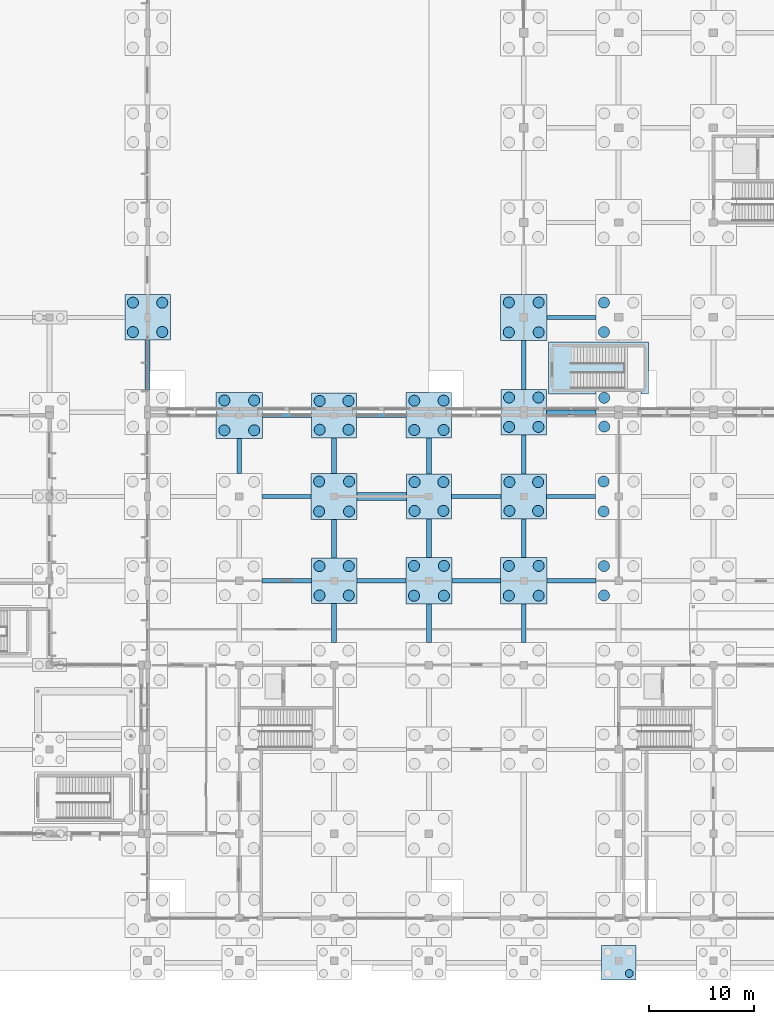
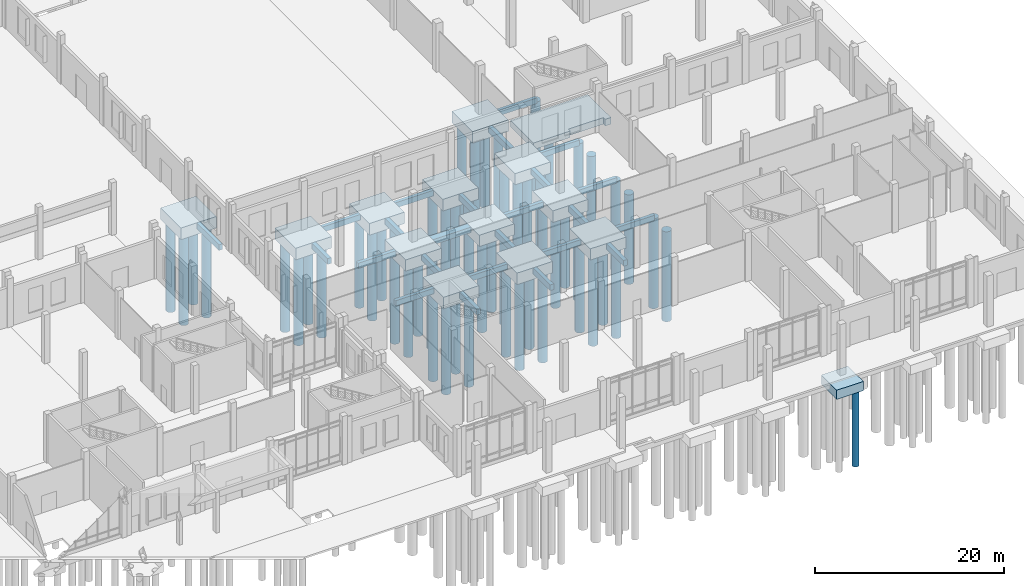
# One storey, part 15 of 99: 57 piles, 38 footings.
"""IFC4 building model written with IfcOpenShell, lengths in metres."""

import ifcopenshell
import ifcopenshell.guid

model = None  # the IFC model being written
_history = None  # IfcOwnerHistory: only IFC2X3 demands one
_inside = {}  # id of a spatial element -> (the spatial element, [elements in it])
_under = {}  # id of a project, library or spatial element -> (it, [spatial elements below it])
_declared = {}  # id of a project -> (the project, [libraries it declares])
_typed = {}  # id of a type object -> (the type object, [elements of that type])
_made_of = {}  # id of a material, layer set ... -> (it, [elements and type objects made of it])


def new_model(schema):
    """Start an empty IFC model of exactly this schema.

    Asked for "IFC4X3", IfcOpenShell would pick the latest addendum, in which some entities
    have other attributes; the version numbers below select the first issue.
    IFC2X3 requires an IfcOwnerHistory on every rooted entity: one is made here for all.
    """
    global model, _history
    if schema == "IFC4X3":
        model = ifcopenshell.file(schema_version=(4, 3, 0, 0))
    else:
        model = ifcopenshell.file(schema=schema)
    _inside.clear()
    _under.clear()
    _declared.clear()
    _typed.clear()
    _made_of.clear()
    _history = None
    if model.schema == "IFC2X3":
        org = make("IfcOrganization", Name="unknown")
        user = make(
            "IfcPersonAndOrganization",
            ThePerson=make("IfcPerson", FamilyName="unknown"),
            TheOrganization=org,
        )
        app = make(
            "IfcApplication",
            ApplicationDeveloper=org,
            Version="unknown",
            ApplicationFullName="unknown",
            ApplicationIdentifier="unknown",
        )
        _history = make(
            "IfcOwnerHistory",
            OwningUser=user,
            OwningApplication=app,
            ChangeAction="ADDED",
            CreationDate=0,
        )
    return model


def make(cls, **values):
    """One entity of the class cls with the attributes given. An attribute that is None is left unset."""
    return model.create_entity(
        cls, **{name: value for name, value in values.items() if value is not None}
    )


def rooted(cls, **values):
    """An entity with a GlobalId (a new one), such as an element, a storey or a relation."""
    return make(cls, GlobalId=ifcopenshell.guid.new(), OwnerHistory=_history, **values)


def si_unit(unit_type, name, prefix=None):
    """IfcSIUnit, for example si_unit("LENGTHUNIT", "METRE", prefix="MILLI")."""
    return make("IfcSIUnit", UnitType=unit_type, Prefix=prefix, Name=name)


def assignment(units):
    """IfcUnitAssignment: the units of a project."""
    return None if units is None else make("IfcUnitAssignment", Units=units)


def point(xyz):
    """IfcCartesianPoint."""
    return None if xyz is None else make("IfcCartesianPoint", Coordinates=xyz)


def direction(xyz):
    """IfcDirection."""
    return None if xyz is None else make("IfcDirection", DirectionRatios=xyz)


def frame(location, z_axis=None, x_axis=None):
    """IfcAxis2Placement3D, a coordinate frame: its origin and axes. An axis left out is left unset."""
    return make(
        "IfcAxis2Placement3D",
        Location=point(location),
        Axis=direction(z_axis),
        RefDirection=direction(x_axis),
    )


def frame_2d(location, x_axis=None):
    """IfcAxis2Placement2D, a coordinate frame in the plane: its origin and x axis."""
    return make(
        "IfcAxis2Placement2D", Location=point(location), RefDirection=direction(x_axis)
    )


def origin():
    """The frame at (0, 0, 0) with its axes left unset."""
    return frame((0.0, 0.0, 0.0))


def origin_2d():
    """The frame at (0, 0) in the plane with its x axis left unset."""
    return frame_2d((0.0, 0.0))


def place(relative_to, where):
    """IfcLocalPlacement: puts the frame where relative to a parent placement (None: the world)."""
    return make(
        "IfcLocalPlacement", PlacementRelTo=relative_to, RelativePlacement=where
    )


def context(
    kind, dimensions, precision=None, world=None, true_north=None, identifier=None
):
    """IfcGeometricRepresentationContext, for example the 3D "Model" context."""
    return make(
        "IfcGeometricRepresentationContext",
        ContextIdentifier=identifier,
        ContextType=kind,
        CoordinateSpaceDimension=dimensions,
        Precision=precision,
        WorldCoordinateSystem=world,
        TrueNorth=true_north,
    )


def subcontext(parent, identifier, kind, view, scale=None):
    """IfcGeometricRepresentationSubContext, for example "Body" below "Model"."""
    return make(
        "IfcGeometricRepresentationSubContext",
        ContextIdentifier=identifier,
        ContextType=kind,
        ParentContext=parent,
        TargetScale=scale,
        TargetView=view,
    )


def project(units=None, contexts=None):
    """IfcProject with its units and contexts."""
    return rooted(
        "IfcProject",
        Name="project",
        RepresentationContexts=contexts,
        UnitsInContext=assignment(units),
    )


def spatial(cls, under=None, at=None, **own):
    """A site, building, storey or space (cls), placed at a placement, below another one or the project."""
    s = rooted(cls, ObjectPlacement=at, **own)
    if under is not None:
        _under.setdefault(under.id(), (under, []))[1].append(s)
    return s


def polyline(points):
    """IfcPolyline through the points."""
    return make("IfcPolyline", Points=[point(p) for p in points])


def profile(cls, at=None, kind="AREA", **sizes):
    """A parametric profile (cls). Its sizes go by their IFC names, for example OverallWidth=200.0."""
    return make(cls, ProfileType=kind, Position=at, **sizes)


def rectangle(**sizes):
    """IfcRectangleProfileDef."""
    return profile("IfcRectangleProfileDef", **sizes)


def circle(**sizes):
    """IfcCircleProfileDef."""
    return profile("IfcCircleProfileDef", **sizes)


def outline(outer, holes=None, kind="AREA"):
    """IfcArbitraryClosedProfileDef: a profile drawn as a closed curve; with holes, ...WithVoids."""
    if holes is None:
        return make("IfcArbitraryClosedProfileDef", ProfileType=kind, OuterCurve=outer)
    return make(
        "IfcArbitraryProfileDefWithVoids",
        ProfileType=kind,
        OuterCurve=outer,
        InnerCurves=holes,
    )


def extrude(swept, where, along, depth):
    """IfcExtrudedAreaSolid: the profile swept, set in the frame where, extruded along a direction by depth."""
    return make(
        "IfcExtrudedAreaSolid",
        SweptArea=swept,
        Position=where,
        ExtrudedDirection=direction(along),
        Depth=depth,
    )


def shape(context_of_items, identifier, shape_type, items):
    """IfcShapeRepresentation: the items that make up one representation, for example the "Body"."""
    return make(
        "IfcShapeRepresentation",
        ContextOfItems=context_of_items,
        RepresentationIdentifier=identifier,
        RepresentationType=shape_type,
        Items=items,
    )


def material(Name=None, Category=None):
    """IfcMaterial."""
    return make("IfcMaterial", Name=Name, Category=Category)


def layer(
    of_material, thickness, ventilated=None, Name=None, Category=None, Priority=None
):
    """IfcMaterialLayer: one layer of a wall or slab, of a material (None: an air gap)."""
    return make(
        "IfcMaterialLayer",
        Material=of_material,
        LayerThickness=thickness,
        IsVentilated=ventilated,
        Name=Name,
        Category=Category,
        Priority=Priority,
    )


def layer_set(layers, Name=None):
    """IfcMaterialLayerSet."""
    return make("IfcMaterialLayerSet", MaterialLayers=layers, LayerSetName=Name)


def material_profile(
    of_material, cross_section, Name=None, Category=None, Priority=None
):
    """IfcMaterialProfile: a cross section and its material."""
    return make(
        "IfcMaterialProfile",
        Name=Name,
        Material=of_material,
        Profile=cross_section,
        Priority=Priority,
        Category=Category,
    )


def profile_set(profiles, Name=None, composite=None):
    """IfcMaterialProfileSet."""
    return make(
        "IfcMaterialProfileSet",
        Name=Name,
        MaterialProfiles=profiles,
        CompositeProfile=composite,
    )


def made_of(thing, what):
    """Note that an element or type object is made of a material, layer set ...; save() writes the relation."""
    if what is not None:
        _made_of.setdefault(what.id(), (what, []))[1].append(thing)
    return thing


def type_object(cls, material=None, **own):
    """A type object (cls), such as IfcWallType, which elements share."""
    return made_of(rooted(cls, **own), material)


def element(
    cls,
    number,
    at=None,
    inside=None,
    cuts=None,
    type_object=None,
    material=None,
    context=None,
    identifier="Body",
    shape_type=None,
    held_by="IfcProductDefinitionShape",
    body=None,
    shapes=None,
    **own,
):
    """One element of the class cls, such as IfcWall. Its Tag is "e" and its number.

    at: its placement. inside: the storey or other place that contains it. cuts: it is an
    opening in that element (IfcRelVoidsElement). A single representation is given by context,
    identifier, shape_type and body (its items); several are given by shapes. held_by: the class
    of the entity that holds the representations. save() writes the other relations.
    """
    e = rooted(cls, Tag="e%d" % number, ObjectPlacement=at, **own)
    if body is not None:
        shapes = [shape(context, identifier, shape_type, body)]
    if shapes is not None:
        e.Representation = make(held_by, Representations=shapes)
    if inside is not None:
        _inside.setdefault(inside.id(), (inside, []))[1].append(e)
    if cuts is not None:
        rooted(
            "IfcRelVoidsElement", RelatingBuildingElement=cuts, RelatedOpeningElement=e
        )
    if type_object is not None:
        _typed.setdefault(type_object.id(), (type_object, []))[1].append(e)
    return made_of(e, material)


def aggregate(whole, parts):
    """IfcRelAggregates: a whole, such as a stair, and the parts it consists of."""
    return rooted("IfcRelAggregates", RelatingObject=whole, RelatedObjects=parts)


def save(model, path):
    """Write the relations noted so far, then the file.

    IfcRelAggregates (storeys below a building ...), IfcRelContainedInSpatialStructure (elements
    in a storey), IfcRelDefinesByType, IfcRelAssociatesMaterial and IfcRelDeclares: one each for
    every whole, place, type object, material and project.
    """
    for whole, parts in _under.values():
        aggregate(whole, parts)
    for where, things in _inside.values():
        rooted(
            "IfcRelContainedInSpatialStructure",
            RelatedElements=things,
            RelatingStructure=where,
        )
    for kind, things in _typed.values():
        rooted("IfcRelDefinesByType", RelatedObjects=things, RelatingType=kind)
    for what, things in _made_of.values():
        rooted("IfcRelAssociatesMaterial", RelatedObjects=things, RelatingMaterial=what)
    for by, libraries in _declared.values():
        rooted("IfcRelDeclares", RelatingContext=by, RelatedDefinitions=libraries)
    model.write(path)


model = new_model("IFC4")

# Units and contexts
model_context = context("Model", 3, precision=1e-05, world=origin(), true_north=direction((0.0, 1.0)))
body_context = subcontext(model_context, "Body", "Model", "MODEL_VIEW")
ifc_project = project(units=[si_unit("LENGTHUNIT", "METRE"), si_unit("AREAUNIT", "SQUARE_METRE"), si_unit("VOLUMEUNIT", "CUBIC_METRE"), si_unit("PLANEANGLEUNIT", "RADIAN"), si_unit("MASSUNIT", "GRAM", prefix="KILO")], contexts=[model_context])

# Site, building, storey
site_placement = place(None, origin())
site = spatial("IfcSite", under=ifc_project, at=site_placement, CompositionType="ELEMENT")
building_placement = place(site_placement, origin())
building = spatial("IfcBuilding", under=site, at=building_placement, Name="Zacnel Wholesale Market", CompositionType="ELEMENT")
storey_placement = place(building_placement, origin())
storey = spatial("IfcBuildingStorey", under=building, at=storey_placement, Name="L01", CompositionType="ELEMENT", Elevation=0.0)

# Footings
ifc_material_1 = material(Name="Concrete C35/45", Category="concrete")
ifc_material_profile_1 = material_profile(ifc_material_1, rectangle(XDim=0.39990234375, YDim=0.699951171875, at=origin_2d()), Name="CT 400x700")
ifc_profile_set_1 = profile_set([ifc_material_profile_1], Name="Concrete C35/45")
footing_type_1 = type_object("IfcFootingType", Name="FTG-CT400X700", PredefinedType="FOOTING_BEAM", material=ifc_profile_set_1)
footing_1_placement = place(storey_placement, frame((155.139892578125, 32.0, -0.85009765625), z_axis=(1.0, 0.0, 0.0), x_axis=(0.0, 1.0, 0.0)))
element("IfcFooting", 1, at=footing_1_placement, inside=storey, type_object=footing_type_1, Name="Ground tie beam CT-X-0332", PredefinedType="FOOTING_BEAM", context=body_context, shape_type="SweptSolid", body=[
    extrude(rectangle(XDim=0.39990234375, YDim=0.699951171875, at=origin_2d()), origin(), (0.0, 0.0, 1.0), 4.695068359375),
])
footing_2_placement = place(storey_placement, frame((164.1650390625, 32.0, -0.85009765625), z_axis=(1.0, 0.0, 0.0), x_axis=(0.0, 1.0, 0.0)))
element("IfcFooting", 2, at=footing_2_placement, inside=storey, type_object=footing_type_1, Name="Ground tie beam CT-X-0333", PredefinedType="FOOTING_BEAM", context=body_context, shape_type="SweptSolid", body=[
    extrude(rectangle(XDim=0.39990234375, YDim=0.699951171875, at=origin_2d()), origin(), (0.0, 0.0, 1.0), 4.64501953125),
])
footing_3_placement = place(storey_placement, frame((173.18994140625, 32.0, -0.85009765625), z_axis=(1.0, 0.0, 0.0), x_axis=(0.0, 1.0, 0.0)))
element("IfcFooting", 3, at=footing_3_placement, inside=storey, type_object=footing_type_1, Name="Ground tie beam CT-X-0334", PredefinedType="FOOTING_BEAM", context=body_context, shape_type="SweptSolid", body=[
    extrude(rectangle(XDim=0.39990234375, YDim=0.699951171875, at=origin_2d()), origin(), (0.0, 0.0, 1.0), 4.6201171875),
])
for number, where, z_axis, x_axis, name in (
    (4, (182.18994140625, 32.0, -0.85009765625), (1.0, 0.0, 0.0), (0.0, 1.0, 0.0), "Ground tie beam CT-X-0335"),
    (5, (155.1650390625, 40.0, -0.85009765625), (1.0, 0.0, 0.0), (0.0, 1.0, 0.0), "Ground tie beam CT-X-0353"),
):
    element("IfcFooting", number, at=place(storey_placement, frame(where, z_axis=z_axis, x_axis=x_axis)), inside=storey, type_object=footing_type_1, Name=name, PredefinedType="FOOTING_BEAM", context=body_context, shape_type="SweptSolid", body=[
        extrude(rectangle(XDim=0.39990234375, YDim=0.699951171875, at=origin_2d()), origin(), (0.0, 0.0, 1.0), 4.64501953125),
    ])
footing_4_placement = place(storey_placement, frame((173.139892578125, 40.0, -0.85009765625), z_axis=(1.0, 0.0, 0.0), x_axis=(0.0, 1.0, 0.0)))
element("IfcFooting", 6, at=footing_4_placement, inside=storey, type_object=footing_type_1, Name="Ground tie beam CT-X-0354", PredefinedType="FOOTING_BEAM", context=body_context, shape_type="SweptSolid", body=[
    extrude(rectangle(XDim=0.39990234375, YDim=0.699951171875, at=origin_2d()), origin(), (0.0, 0.0, 1.0), 4.72021484375),
])
for number, where, z_axis, x_axis, name in (
    (7, (182.139892578125, 40.0, -0.85009765625), (1.0, 0.0, 0.0), (0.0, 1.0, 0.0), "Ground tie beam CT-X-0355"),
    (8, (155.18994140625, 47.699951171875, -0.85009765625), (1.0, 0.0, 0.0), (0.0, 1.0, 0.0), "Ground tie beam CT-X-0359"),
):
    element("IfcFooting", number, at=place(storey_placement, frame(where, z_axis=z_axis, x_axis=x_axis)), inside=storey, type_object=footing_type_1, Name=name, PredefinedType="FOOTING_BEAM", context=body_context, shape_type="SweptSolid", body=[
        extrude(rectangle(XDim=0.39990234375, YDim=0.699951171875, at=origin_2d()), origin(), (0.0, 0.0, 1.0), 4.670166015625),
    ])
for number, where, z_axis, x_axis, name in (
    (9, (164.139892578125, 47.699951171875, -0.85009765625), (1.0, 0.0, 0.0), (0.0, 1.0, 0.0), "Ground tie beam CT-X-0360"),
    (10, (182.1650390625, 48.0, -0.85009765625), (1.0, 0.0, 0.0), (0.0, 1.0, 0.0), "Ground tie beam CT-X-0377"),
):
    element("IfcFooting", number, at=place(storey_placement, frame(where, z_axis=z_axis, x_axis=x_axis)), inside=storey, type_object=footing_type_1, Name=name, PredefinedType="FOOTING_BEAM", context=body_context, shape_type="SweptSolid", body=[
        extrude(rectangle(XDim=0.39990234375, YDim=0.699951171875, at=origin_2d()), origin(), (0.0, 0.0, 1.0), 4.695068359375),
    ])
footing_5_placement = place(storey_placement, frame((182.18994140625, 57.0, -0.85009765625), z_axis=(1.0, 0.0, 0.0), x_axis=(0.0, 1.0, 0.0)))
element("IfcFooting", 11, at=footing_5_placement, inside=storey, type_object=footing_type_1, Name="Ground tie beam CT-X-0397", PredefinedType="FOOTING_BEAM", context=body_context, shape_type="SweptSolid", body=[
    extrude(rectangle(XDim=0.39990234375, YDim=0.699951171875, at=origin_2d()), origin(), (0.0, 0.0, 1.0), 4.64501953125),
])
ifc_material_2 = material(Name="Concrete C35/45", Category="concrete")
ifc_material_profile_2 = material_profile(ifc_material_2, rectangle(XDim=0.449951171875, YDim=0.75, at=origin_2d()), Name="CT 450x750")
ifc_profile_set_2 = profile_set([ifc_material_profile_2], Name="Concrete C35/45")
footing_type_2 = type_object("IfcFootingType", Name="FTG-CT450X750", PredefinedType="FOOTING_BEAM", material=ifc_profile_set_2)
footing_6_placement = place(storey_placement, frame((144.300048828125, 50.139892578125, -0.875), z_axis=(0.0, 1.0, 0.0), x_axis=(-1.0, 0.0, 0.0)))
element("IfcFooting", 12, at=footing_6_placement, inside=storey, type_object=footing_type_2, Name="Ground tie beam CT-Y-0149", PredefinedType="FOOTING_BEAM", context=body_context, shape_type="SweptSolid", body=[
    extrude(rectangle(XDim=0.449951171875, YDim=0.75, at=origin_2d()), origin(), (0.0, 0.0, 1.0), 4.695068359375),
])
footing_7_placement = place(storey_placement, frame((153.0, 42.1650390625, -0.875), z_axis=(0.0, 1.0, 0.0), x_axis=(-1.0, 0.0, 0.0)))
element("IfcFooting", 13, at=footing_7_placement, inside=storey, type_object=footing_type_2, Name="Ground tie beam CT-Y-0159", PredefinedType="FOOTING_BEAM", context=body_context, shape_type="SweptSolid", body=[
    extrude(rectangle(XDim=0.449951171875, YDim=0.75, at=origin_2d()), origin(), (0.0, 0.0, 1.0), 3.344970703125),
])
footing_8_placement = place(storey_placement, frame((162.0, 26.139892578125, -0.875), z_axis=(0.0, 1.0, 0.0), x_axis=(-1.0, 0.0, 0.0)))
element("IfcFooting", 14, at=footing_8_placement, inside=storey, type_object=footing_type_2, Name="Ground tie beam CT-Y-0167", PredefinedType="FOOTING_BEAM", context=body_context, shape_type="SweptSolid", body=[
    extrude(rectangle(XDim=0.449951171875, YDim=0.75, at=origin_2d()), origin(), (0.0, 0.0, 1.0), 3.695068359375),
])
footing_9_placement = place(storey_placement, frame((162.0, 34.1650390625, -0.875), z_axis=(0.0, 1.0, 0.0), x_axis=(-1.0, 0.0, 0.0)))
element("IfcFooting", 15, at=footing_9_placement, inside=storey, type_object=footing_type_2, Name="Ground tie beam CT-Y-0168", PredefinedType="FOOTING_BEAM", context=body_context, shape_type="SweptSolid", body=[
    extrude(rectangle(XDim=0.449951171875, YDim=0.75, at=origin_2d()), origin(), (0.0, 0.0, 1.0), 3.64501953125),
])
footing_10_placement = place(storey_placement, frame((162.0, 42.18994140625, -0.875), z_axis=(0.0, 1.0, 0.0), x_axis=(-1.0, 0.0, 0.0)))
element("IfcFooting", 16, at=footing_10_placement, inside=storey, type_object=footing_type_2, Name="Ground tie beam CT-Y-0169", PredefinedType="FOOTING_BEAM", context=body_context, shape_type="SweptSolid", body=[
    extrude(rectangle(XDim=0.449951171875, YDim=0.75, at=origin_2d()), origin(), (0.0, 0.0, 1.0), 3.3701171875),
])
footing_11_placement = place(storey_placement, frame((171.0, 26.1650390625, -0.875), z_axis=(0.0, 1.0, 0.0), x_axis=(-1.0, 0.0, 0.0)))
element("IfcFooting", 17, at=footing_11_placement, inside=storey, type_object=footing_type_2, Name="Ground tie beam CT-Y-0174", PredefinedType="FOOTING_BEAM", context=body_context, shape_type="SweptSolid", body=[
    extrude(rectangle(XDim=0.449951171875, YDim=0.75, at=origin_2d()), origin(), (0.0, 0.0, 1.0), 3.64501953125),
])
footing_12_placement = place(storey_placement, frame((171.0, 34.18994140625, -0.875), z_axis=(0.0, 1.0, 0.0), x_axis=(-1.0, 0.0, 0.0)))
element("IfcFooting", 18, at=footing_12_placement, inside=storey, type_object=footing_type_2, Name="Ground tie beam CT-Y-0175", PredefinedType="FOOTING_BEAM", context=body_context, shape_type="SweptSolid", body=[
    extrude(rectangle(XDim=0.449951171875, YDim=0.75, at=origin_2d()), origin(), (0.0, 0.0, 1.0), 3.670166015625),
])
footing_13_placement = place(storey_placement, frame((171.0, 42.139892578125, -0.875), z_axis=(0.0, 1.0, 0.0), x_axis=(-1.0, 0.0, 0.0)))
element("IfcFooting", 19, at=footing_13_placement, inside=storey, type_object=footing_type_2, Name="Ground tie beam CT-Y-0176", PredefinedType="FOOTING_BEAM", context=body_context, shape_type="SweptSolid", body=[
    extrude(rectangle(XDim=0.449951171875, YDim=0.75, at=origin_2d()), origin(), (0.0, 0.0, 1.0), 3.39501953125),
])
footing_14_placement = place(storey_placement, frame((180.0, 26.1650390625, -0.875), z_axis=(0.0, 1.0, 0.0), x_axis=(-1.0, 0.0, 0.0)))
element("IfcFooting", 20, at=footing_14_placement, inside=storey, type_object=footing_type_2, Name="Ground tie beam CT-Y-0183", PredefinedType="FOOTING_BEAM", context=body_context, shape_type="SweptSolid", body=[
    extrude(rectangle(XDim=0.449951171875, YDim=0.75, at=origin_2d()), origin(), (0.0, 0.0, 1.0), 3.64501953125),
])
footing_15_placement = place(storey_placement, frame((180.0, 34.18994140625, -0.875), z_axis=(0.0, 1.0, 0.0), x_axis=(-1.0, 0.0, 0.0)))
element("IfcFooting", 21, at=footing_15_placement, inside=storey, type_object=footing_type_2, Name="Ground tie beam CT-Y-0184", PredefinedType="FOOTING_BEAM", context=body_context, shape_type="SweptSolid", body=[
    extrude(rectangle(XDim=0.449951171875, YDim=0.75, at=origin_2d()), origin(), (0.0, 0.0, 1.0), 3.670166015625),
])
footing_16_placement = place(storey_placement, frame((180.0, 42.139892578125, -0.875), z_axis=(0.0, 1.0, 0.0), x_axis=(-1.0, 0.0, 0.0)))
element("IfcFooting", 22, at=footing_16_placement, inside=storey, type_object=footing_type_2, Name="Ground tie beam CT-Y-0185", PredefinedType="FOOTING_BEAM", context=body_context, shape_type="SweptSolid", body=[
    extrude(rectangle(XDim=0.449951171875, YDim=0.75, at=origin_2d()), origin(), (0.0, 0.0, 1.0), 3.695068359375),
])
footing_17_placement = place(storey_placement, frame((180.0, 50.1650390625, -0.875), z_axis=(0.0, 1.0, 0.0), x_axis=(-1.0, 0.0, 0.0)))
element("IfcFooting", 23, at=footing_17_placement, inside=storey, type_object=footing_type_2, Name="Ground tie beam CT-Y-0186", PredefinedType="FOOTING_BEAM", context=body_context, shape_type="SweptSolid", body=[
    extrude(rectangle(XDim=0.449951171875, YDim=0.75, at=origin_2d()), origin(), (0.0, 0.0, 1.0), 4.64501953125),
])
ifc_material_3 = material(Name="Concrete C35/45", Category="concrete")
ifc_layer_1 = layer(ifc_material_3, 1.0)
ifc_layer_set_1 = layer_set([ifc_layer_1], Name="Concrete C35/45")
footing_type_3 = type_object("IfcFootingType", Name="FTG-PAD-2400X1800", PredefinedType="PAD_FOOTING", material=ifc_layer_set_1)
footing_18_placement = place(storey_placement, frame((0.0, 0.0, -1.199951171875)))
element("IfcFooting", 24, at=footing_18_placement, inside=storey, type_object=footing_type_3, Name="Shear wall strip footing 07", PredefinedType="PAD_FOOTING", context=body_context, shape_type="SweptSolid", body=[
    extrude(outline(polyline([(164.19189453125, 39.625), (164.19189453125, 40.375), (168.85791015625, 40.375), (168.85791015625, 39.625), (164.19189453125, 39.625)])), origin(), (0.0, 0.0, 1.0), 0.699951171875),
])
ifc_material_4 = material(Name="Concrete C35/45", Category="concrete")
ifc_layer_2 = layer(ifc_material_4, 1.199951171875)
ifc_layer_set_2 = layer_set([ifc_layer_2], Name="Concrete C35/45")
footing_type_4 = type_object("IfcFootingType", Name="FTG-PC-3270X3270X1200", PredefinedType="PILE_CAP", material=ifc_layer_set_2)
footing_19_placement = place(storey_placement, frame((189.0, -4.25, -1.7001953125), z_axis=(0.0, 0.0, 1.0), x_axis=(1.0, 0.0, 0.0)))
element("IfcFooting", 25, at=footing_19_placement, inside=storey, type_object=footing_type_4, Name="Pile cap PC-23 (STR-PC-R2-BV5-06)", PredefinedType="PILE_CAP", context=body_context, shape_type="SweptSolid", body=[
    extrude(rectangle(XDim=3.27001953125, YDim=3.27001953125, at=origin_2d()), origin(), (0.0, 0.0, 1.0), 1.199951171875),
])
ifc_material_5 = material(Name="Concrete C35/45", Category="concrete")
ifc_layer_3 = layer(ifc_material_5, 1.449951171875)
ifc_layer_set_3 = layer_set([ifc_layer_3], Name="Concrete C35/45")
footing_type_5 = type_object("IfcFootingType", Name="FTG-PC-4280X4280X1450", PredefinedType="PILE_CAP", material=ifc_layer_set_3)
footing_20_placement = place(storey_placement, frame((171.0, 40.0, -1.9501953125), z_axis=(0.0, 0.0, 1.0), x_axis=(1.0, 0.0, 0.0)))
element("IfcFooting", 26, at=footing_20_placement, inside=storey, type_object=footing_type_5, Name="Pile cap PC-16 (STR-PC-237)", PredefinedType="PILE_CAP", context=body_context, shape_type="SweptSolid", body=[
    extrude(rectangle(XDim=4.280029296875, YDim=4.280029296875, at=origin_2d()), origin(), (0.0, 0.0, 1.0), 1.449951171875),
])
ifc_material_6 = material(Name="Concrete C35/45", Category="concrete")
ifc_layer_4 = layer(ifc_material_6, 1.5)
ifc_layer_set_4 = layer_set([ifc_layer_4], Name="Concrete C35/45")
footing_type_6 = type_object("IfcFootingType", Name="FTG-PC-4280X4280X1500", PredefinedType="PILE_CAP", material=ifc_layer_set_4)
for number, where, z_axis, x_axis, name in (
    (27, (162.0, 47.699951171875, -2.0), (0.0, 0.0, 1.0), (1.0, 0.0, 0.0), "Pile cap PC-15 (STR-PC-228)"),
    (28, (180.0, 40.0, -2.0), (0.0, 0.0, 1.0), (1.0, 0.0, 0.0), "Pile cap PC-15 (STR-PC-246)"),
):
    element("IfcFooting", number, at=place(storey_placement, frame(where, z_axis=z_axis, x_axis=x_axis)), inside=storey, type_object=footing_type_6, Name=name, PredefinedType="PILE_CAP", context=body_context, shape_type="SweptSolid", body=[
        extrude(rectangle(XDim=4.280029296875, YDim=4.280029296875, at=origin_2d()), origin(), (0.0, 0.0, 1.0), 1.5),
    ])
ifc_material_7 = material(Name="Concrete C35/45", Category="concrete")
ifc_layer_5 = layer(ifc_material_7, 1.449951171875)
ifc_layer_set_5 = layer_set([ifc_layer_5], Name="Concrete C35/45")
footing_type_7 = type_object("IfcFootingType", Name="FTG-PC-4330X4330X1450", PredefinedType="PILE_CAP", material=ifc_layer_set_5)
footing_21_placement = place(storey_placement, frame((180.0, 48.0, -1.9501953125), z_axis=(0.0, 0.0, 1.0), x_axis=(1.0, 0.0, 0.0)))
element("IfcFooting", 29, at=footing_21_placement, inside=storey, type_object=footing_type_7, Name="Pile cap PC-19 (STR-PC-247)", PredefinedType="PILE_CAP", context=body_context, shape_type="SweptSolid", body=[
    extrude(rectangle(XDim=4.330078125, YDim=4.330078125, at=origin_2d()), origin(), (0.0, 0.0, 1.0), 1.449951171875),
])
ifc_material_8 = material(Name="Concrete C35/45", Category="concrete")
ifc_layer_6 = layer(ifc_material_8, 1.5)
ifc_layer_set_6 = layer_set([ifc_layer_6], Name="Concrete C35/45")
footing_type_8 = type_object("IfcFootingType", Name="FTG-PC-4330X4330X1500", PredefinedType="PILE_CAP", material=ifc_layer_set_6)
for number, where, z_axis, x_axis, name in (
    (30, (144.300048828125, 57.0, -2.0), (0.0, 0.0, 1.0), (1.0, 0.0, 0.0), "Pile cap PC-17 (STR-PC-208)"),
    (31, (162.0, 32.0, -2.0), (0.0, 0.0, 1.0), (1.0, 0.0, 0.0), "Pile cap PC-17 (STR-PC-226)"),
    (32, (171.0, 47.699951171875, -2.0), (0.0, 0.0, 1.0), (1.0, 0.0, 0.0), "Pile cap PC-17 (STR-PC-238)"),
):
    element("IfcFooting", number, at=place(storey_placement, frame(where, z_axis=z_axis, x_axis=x_axis)), inside=storey, type_object=footing_type_8, Name=name, PredefinedType="PILE_CAP", context=body_context, shape_type="SweptSolid", body=[
        extrude(rectangle(XDim=4.330078125, YDim=4.330078125, at=origin_2d()), origin(), (0.0, 0.0, 1.0), 1.5),
    ])
ifc_material_9 = material(Name="Concrete C35/45", Category="concrete")
ifc_layer_7 = layer(ifc_material_9, 1.449951171875)
ifc_layer_set_7 = layer_set([ifc_layer_7], Name="Concrete C35/45")
footing_type_9 = type_object("IfcFootingType", Name="FTG-PC-4380X4380X1450", PredefinedType="PILE_CAP", material=ifc_layer_set_7)
for number, where, z_axis, x_axis, name in (
    (33, (162.0, 40.0, -1.9501953125), (0.0, 0.0, 1.0), (1.0, 0.0, 0.0), "Pile cap PC-14 (STR-PC-227)"),
    (34, (180.0, 32.0, -1.9501953125), (0.0, 0.0, 1.0), (1.0, 0.0, 0.0), "Pile cap PC-14 (STR-PC-245)"),
):
    element("IfcFooting", number, at=place(storey_placement, frame(where, z_axis=z_axis, x_axis=x_axis)), inside=storey, type_object=footing_type_9, Name=name, PredefinedType="PILE_CAP", context=body_context, shape_type="SweptSolid", body=[
        extrude(rectangle(XDim=4.3798828125, YDim=4.3798828125, at=origin_2d()), origin(), (0.0, 0.0, 1.0), 1.449951171875),
    ])
ifc_material_10 = material(Name="Concrete C35/45", Category="concrete")
ifc_layer_8 = layer(ifc_material_10, 1.5)
ifc_layer_set_8 = layer_set([ifc_layer_8], Name="Concrete C35/45")
footing_type_10 = type_object("IfcFootingType", Name="FTG-PC-4380X4380X1500", PredefinedType="PILE_CAP", material=ifc_layer_set_8)
for number, where, z_axis, x_axis, name in (
    (35, (153.0, 47.699951171875, -2.0), (0.0, 0.0, 1.0), (1.0, 0.0, 0.0), "Pile cap PC-18 (STR-PC-218)"),
    (36, (171.0, 32.0, -2.0), (0.0, 0.0, 1.0), (1.0, 0.0, 0.0), "Pile cap PC-18 (STR-PC-236)"),
    (37, (180.0, 57.0, -2.0), (0.0, 0.0, 1.0), (1.0, 0.0, 0.0), "Pile cap PC-18 (STR-PC-248)"),
):
    element("IfcFooting", number, at=place(storey_placement, frame(where, z_axis=z_axis, x_axis=x_axis)), inside=storey, type_object=footing_type_10, Name=name, PredefinedType="PILE_CAP", context=body_context, shape_type="SweptSolid", body=[
        extrude(rectangle(XDim=4.3798828125, YDim=4.3798828125, at=origin_2d()), origin(), (0.0, 0.0, 1.0), 1.5),
    ])
ifc_material_11 = material(Name="Concrete C35/45", Category="concrete")
ifc_layer_9 = layer(ifc_material_11, 0.85009765625)
ifc_layer_set_9 = layer_set([ifc_layer_9], Name="Concrete C35/45")
footing_type_11 = type_object("IfcFootingType", Name="FTG-STAIR-MAT-7800X6800", PredefinedType="PAD_FOOTING", material=ifc_layer_set_9)
footing_22_placement = place(storey_placement, frame((0.0, 0.0, -1.35009765625)))
element("IfcFooting", 38, at=footing_22_placement, inside=storey, type_object=footing_type_11, Name="Stair ST-22 mat footing 017", PredefinedType="PAD_FOOTING", context=body_context, shape_type="SweptSolid", body=[
    extrude(outline(polyline([(182.35009765625, 49.75), (182.35009765625, 54.64990234375), (191.85009765625, 54.64990234375), (191.85009765625, 49.75), (191.14208984375, 49.75), (191.14208984375, 50.139892578125), (191.14208984375, 50.14013671875), (191.14208984375, 50.140380859375), (191.141845703125, 50.140625), (191.141845703125, 50.140869140625), (191.141845703125, 50.140869140625), (191.1416015625, 50.14111328125), (191.1416015625, 50.141357421875), (191.141357421875, 50.141357421875), (191.141357421875, 50.1416015625), (191.14111328125, 50.1416015625), (191.140869140625, 50.141845703125), (191.140869140625, 50.141845703125), (191.140625, 50.141845703125), (191.140380859375, 50.14208984375), (191.14013671875, 50.14208984375), (191.139892578125, 50.14208984375), (186.860107421875, 50.14208984375), (186.85986328125, 50.14208984375), (186.859619140625, 50.14208984375), (186.859375, 50.141845703125), (186.859130859375, 50.141845703125), (186.859130859375, 50.141845703125), (186.85888671875, 50.1416015625), (186.858642578125, 50.1416015625), (186.858642578125, 50.141357421875), (186.8583984375, 50.141357421875), (186.8583984375, 50.14111328125), (186.858154296875, 50.140869140625), (186.858154296875, 50.140869140625), (186.858154296875, 50.140625), (186.85791015625, 50.140380859375), (186.85791015625, 50.14013671875), (186.85791015625, 50.139892578125), (186.85791015625, 49.75), (182.35009765625, 49.75)])), origin(), (0.0, 0.0, 1.0), 0.85009765625),
])

# Piles
ifc_material_12 = material(Name="Concrete C35/45", Category="concrete")
ifc_material_profile_3 = material_profile(ifc_material_12, circle(Radius=0.52490234375, at=origin_2d()), Name="BORED PILE D1050")
ifc_profile_set_3 = profile_set([ifc_material_profile_3], Name="Concrete C35/45")
pile_type_1 = type_object("IfcPileType", Name="PILE-BORED-1050", PredefinedType="BORED", material=ifc_profile_set_3)
for number, where, z_axis, x_axis, name in (
    (39, (142.908447265625, 55.6083984375, -1.89990234375), (0.0, 0.0, -1.0), (1.0, 0.0, 0.0), "Bored pile STR-PILE-208-01"),
    (40, (142.908447265625, 58.3916015625, -1.89990234375), (0.0, 0.0, -1.0), (1.0, 0.0, 0.0), "Bored pile STR-PILE-208-02"),
    (41, (145.69140625, 55.6083984375, -1.89990234375), (0.0, 0.0, -1.0), (1.0, 0.0, 0.0), "Bored pile STR-PILE-208-03"),
    (42, (145.69140625, 58.3916015625, -1.89990234375), (0.0, 0.0, -1.0), (1.0, 0.0, 0.0), "Bored pile STR-PILE-208-04"),
    (43, (151.58251953125, 46.282470703125, -1.89990234375), (0.0, 0.0, -1.0), (1.0, 0.0, 0.0), "Bored pile STR-PILE-218-01"),
    (44, (151.58251953125, 49.117431640625, -1.89990234375), (0.0, 0.0, -1.0), (1.0, 0.0, 0.0), "Bored pile STR-PILE-218-02"),
    (45, (154.41748046875, 46.282470703125, -1.89990234375), (0.0, 0.0, -1.0), (1.0, 0.0, 0.0), "Bored pile STR-PILE-218-03"),
    (46, (154.41748046875, 49.117431640625, -1.89990234375), (0.0, 0.0, -1.0), (1.0, 0.0, 0.0), "Bored pile STR-PILE-218-04"),
    (47, (160.6083984375, 30.6083984375, -1.89990234375), (0.0, 0.0, -1.0), (1.0, 0.0, 0.0), "Bored pile STR-PILE-226-01"),
    (48, (160.6083984375, 33.3916015625, -1.89990234375), (0.0, 0.0, -1.0), (1.0, 0.0, 0.0), "Bored pile STR-PILE-226-02"),
    (49, (163.3916015625, 30.6083984375, -1.89990234375), (0.0, 0.0, -1.0), (1.0, 0.0, 0.0), "Bored pile STR-PILE-226-03"),
    (50, (163.3916015625, 33.3916015625, -1.89990234375), (0.0, 0.0, -1.0), (1.0, 0.0, 0.0), "Bored pile STR-PILE-226-04"),
):
    element("IfcPile", number, at=place(storey_placement, frame(where, z_axis=z_axis, x_axis=x_axis)), inside=storey, type_object=pile_type_1, Name=name, PredefinedType="BORED", context=body_context, shape_type="SweptSolid", body=[
        extrude(circle(Radius=0.52490234375, at=origin_2d()), origin(), (0.0, 0.0, 1.0), 11.60009765625),
    ])
for number, where, z_axis, x_axis, name in (
    (51, (160.58251953125, 38.58251953125, -1.85009765625), (0.0, 0.0, -1.0), (1.0, 0.0, 0.0), "Bored pile STR-PILE-227-01"),
    (52, (160.58251953125, 41.41748046875, -1.85009765625), (0.0, 0.0, -1.0), (1.0, 0.0, 0.0), "Bored pile STR-PILE-227-02"),
    (53, (163.41748046875, 38.58251953125, -1.85009765625), (0.0, 0.0, -1.0), (1.0, 0.0, 0.0), "Bored pile STR-PILE-227-03"),
    (54, (163.41748046875, 41.41748046875, -1.85009765625), (0.0, 0.0, -1.0), (1.0, 0.0, 0.0), "Bored pile STR-PILE-227-04"),
):
    element("IfcPile", number, at=place(storey_placement, frame(where, z_axis=z_axis, x_axis=x_axis)), inside=storey, type_object=pile_type_1, Name=name, PredefinedType="BORED", context=body_context, shape_type="SweptSolid", body=[
        extrude(circle(Radius=0.52490234375, at=origin_2d()), origin(), (0.0, 0.0, 1.0), 11.64990234375),
    ])
for number, where, z_axis, x_axis, name in (
    (55, (160.635009765625, 46.3349609375, -1.89990234375), (0.0, 0.0, -1.0), (1.0, 0.0, 0.0), "Bored pile STR-PILE-228-01"),
    (56, (160.635009765625, 49.06494140625, -1.89990234375), (0.0, 0.0, -1.0), (1.0, 0.0, 0.0), "Bored pile STR-PILE-228-02"),
    (57, (163.364990234375, 46.3349609375, -1.89990234375), (0.0, 0.0, -1.0), (1.0, 0.0, 0.0), "Bored pile STR-PILE-228-03"),
    (58, (163.364990234375, 49.06494140625, -1.89990234375), (0.0, 0.0, -1.0), (1.0, 0.0, 0.0), "Bored pile STR-PILE-228-04"),
    (59, (169.58251953125, 30.58251953125, -1.89990234375), (0.0, 0.0, -1.0), (1.0, 0.0, 0.0), "Bored pile STR-PILE-236-01"),
    (60, (169.58251953125, 33.41748046875, -1.89990234375), (0.0, 0.0, -1.0), (1.0, 0.0, 0.0), "Bored pile STR-PILE-236-02"),
    (61, (172.41748046875, 30.58251953125, -1.89990234375), (0.0, 0.0, -1.0), (1.0, 0.0, 0.0), "Bored pile STR-PILE-236-03"),
    (62, (172.41748046875, 33.41748046875, -1.89990234375), (0.0, 0.0, -1.0), (1.0, 0.0, 0.0), "Bored pile STR-PILE-236-04"),
):
    element("IfcPile", number, at=place(storey_placement, frame(where, z_axis=z_axis, x_axis=x_axis)), inside=storey, type_object=pile_type_1, Name=name, PredefinedType="BORED", context=body_context, shape_type="SweptSolid", body=[
        extrude(circle(Radius=0.52490234375, at=origin_2d()), origin(), (0.0, 0.0, 1.0), 11.60009765625),
    ])
for number, where, z_axis, x_axis, name in (
    (63, (169.635009765625, 38.635009765625, -1.85009765625), (0.0, 0.0, -1.0), (1.0, 0.0, 0.0), "Bored pile STR-PILE-237-01"),
    (64, (169.635009765625, 41.364990234375, -1.85009765625), (0.0, 0.0, -1.0), (1.0, 0.0, 0.0), "Bored pile STR-PILE-237-02"),
    (65, (172.364990234375, 38.635009765625, -1.85009765625), (0.0, 0.0, -1.0), (1.0, 0.0, 0.0), "Bored pile STR-PILE-237-03"),
    (66, (172.364990234375, 41.364990234375, -1.85009765625), (0.0, 0.0, -1.0), (1.0, 0.0, 0.0), "Bored pile STR-PILE-237-04"),
):
    element("IfcPile", number, at=place(storey_placement, frame(where, z_axis=z_axis, x_axis=x_axis)), inside=storey, type_object=pile_type_1, Name=name, PredefinedType="BORED", context=body_context, shape_type="SweptSolid", body=[
        extrude(circle(Radius=0.52490234375, at=origin_2d()), origin(), (0.0, 0.0, 1.0), 11.64990234375),
    ])
for number, where, z_axis, x_axis, name in (
    (67, (169.6083984375, 46.30859375, -1.89990234375), (0.0, 0.0, -1.0), (1.0, 0.0, 0.0), "Bored pile STR-PILE-238-01"),
    (68, (169.6083984375, 49.091552734375, -1.89990234375), (0.0, 0.0, -1.0), (1.0, 0.0, 0.0), "Bored pile STR-PILE-238-02"),
    (69, (172.3916015625, 46.30859375, -1.89990234375), (0.0, 0.0, -1.0), (1.0, 0.0, 0.0), "Bored pile STR-PILE-238-03"),
    (70, (172.3916015625, 49.091552734375, -1.89990234375), (0.0, 0.0, -1.0), (1.0, 0.0, 0.0), "Bored pile STR-PILE-238-04"),
):
    element("IfcPile", number, at=place(storey_placement, frame(where, z_axis=z_axis, x_axis=x_axis)), inside=storey, type_object=pile_type_1, Name=name, PredefinedType="BORED", context=body_context, shape_type="SweptSolid", body=[
        extrude(circle(Radius=0.52490234375, at=origin_2d()), origin(), (0.0, 0.0, 1.0), 11.60009765625),
    ])
for number, where, z_axis, x_axis, name in (
    (71, (178.58251953125, 30.58251953125, -1.85009765625), (0.0, 0.0, -1.0), (1.0, 0.0, 0.0), "Bored pile STR-PILE-245-01"),
    (72, (178.58251953125, 33.41748046875, -1.85009765625), (0.0, 0.0, -1.0), (1.0, 0.0, 0.0), "Bored pile STR-PILE-245-02"),
    (73, (181.41748046875, 30.58251953125, -1.85009765625), (0.0, 0.0, -1.0), (1.0, 0.0, 0.0), "Bored pile STR-PILE-245-03"),
    (74, (181.41748046875, 33.41748046875, -1.85009765625), (0.0, 0.0, -1.0), (1.0, 0.0, 0.0), "Bored pile STR-PILE-245-04"),
):
    element("IfcPile", number, at=place(storey_placement, frame(where, z_axis=z_axis, x_axis=x_axis)), inside=storey, type_object=pile_type_1, Name=name, PredefinedType="BORED", context=body_context, shape_type="SweptSolid", body=[
        extrude(circle(Radius=0.52490234375, at=origin_2d()), origin(), (0.0, 0.0, 1.0), 11.64990234375),
    ])
for number, where, z_axis, x_axis, name in (
    (75, (178.635009765625, 38.635009765625, -1.89990234375), (0.0, 0.0, -1.0), (1.0, 0.0, 0.0), "Bored pile STR-PILE-246-01"),
    (76, (178.635009765625, 41.364990234375, -1.89990234375), (0.0, 0.0, -1.0), (1.0, 0.0, 0.0), "Bored pile STR-PILE-246-02"),
    (77, (181.364990234375, 38.635009765625, -1.89990234375), (0.0, 0.0, -1.0), (1.0, 0.0, 0.0), "Bored pile STR-PILE-246-03"),
    (78, (181.364990234375, 41.364990234375, -1.89990234375), (0.0, 0.0, -1.0), (1.0, 0.0, 0.0), "Bored pile STR-PILE-246-04"),
):
    element("IfcPile", number, at=place(storey_placement, frame(where, z_axis=z_axis, x_axis=x_axis)), inside=storey, type_object=pile_type_1, Name=name, PredefinedType="BORED", context=body_context, shape_type="SweptSolid", body=[
        extrude(circle(Radius=0.52490234375, at=origin_2d()), origin(), (0.0, 0.0, 1.0), 11.60009765625),
    ])
for number, where, z_axis, x_axis, name in (
    (79, (178.6083984375, 46.6083984375, -1.85009765625), (0.0, 0.0, -1.0), (1.0, 0.0, 0.0), "Bored pile STR-PILE-247-01"),
    (80, (178.6083984375, 49.3916015625, -1.85009765625), (0.0, 0.0, -1.0), (1.0, 0.0, 0.0), "Bored pile STR-PILE-247-02"),
    (81, (181.3916015625, 46.6083984375, -1.85009765625), (0.0, 0.0, -1.0), (1.0, 0.0, 0.0), "Bored pile STR-PILE-247-03"),
    (82, (181.3916015625, 49.3916015625, -1.85009765625), (0.0, 0.0, -1.0), (1.0, 0.0, 0.0), "Bored pile STR-PILE-247-04"),
):
    element("IfcPile", number, at=place(storey_placement, frame(where, z_axis=z_axis, x_axis=x_axis)), inside=storey, type_object=pile_type_1, Name=name, PredefinedType="BORED", context=body_context, shape_type="SweptSolid", body=[
        extrude(circle(Radius=0.52490234375, at=origin_2d()), origin(), (0.0, 0.0, 1.0), 11.64990234375),
    ])
for number, where, z_axis, x_axis, name in (
    (83, (178.58251953125, 55.58251953125, -1.89990234375), (0.0, 0.0, -1.0), (1.0, 0.0, 0.0), "Bored pile STR-PILE-248-01"),
    (84, (178.58251953125, 58.41748046875, -1.89990234375), (0.0, 0.0, -1.0), (1.0, 0.0, 0.0), "Bored pile STR-PILE-248-02"),
    (85, (181.41748046875, 55.58251953125, -1.89990234375), (0.0, 0.0, -1.0), (1.0, 0.0, 0.0), "Bored pile STR-PILE-248-03"),
    (86, (181.41748046875, 58.41748046875, -1.89990234375), (0.0, 0.0, -1.0), (1.0, 0.0, 0.0), "Bored pile STR-PILE-248-04"),
):
    element("IfcPile", number, at=place(storey_placement, frame(where, z_axis=z_axis, x_axis=x_axis)), inside=storey, type_object=pile_type_1, Name=name, PredefinedType="BORED", context=body_context, shape_type="SweptSolid", body=[
        extrude(circle(Radius=0.52490234375, at=origin_2d()), origin(), (0.0, 0.0, 1.0), 11.60009765625),
    ])
for number, where, z_axis, x_axis, name in (
    (87, (187.6083984375, 30.6083984375, -1.85009765625), (0.0, 0.0, -1.0), (1.0, 0.0, 0.0), "Bored pile STR-PILE-259-01"),
    (88, (187.6083984375, 33.3916015625, -1.85009765625), (0.0, 0.0, -1.0), (1.0, 0.0, 0.0), "Bored pile STR-PILE-259-02"),
):
    element("IfcPile", number, at=place(storey_placement, frame(where, z_axis=z_axis, x_axis=x_axis)), inside=storey, type_object=pile_type_1, Name=name, PredefinedType="BORED", context=body_context, shape_type="SweptSolid", body=[
        extrude(circle(Radius=0.52490234375, at=origin_2d()), origin(), (0.0, 0.0, 1.0), 11.64990234375),
    ])
for number, where, z_axis, x_axis, name in (
    (89, (187.58251953125, 38.58251953125, -1.89990234375), (0.0, 0.0, -1.0), (1.0, 0.0, 0.0), "Bored pile STR-PILE-260-01"),
    (90, (187.58251953125, 41.41748046875, -1.89990234375), (0.0, 0.0, -1.0), (1.0, 0.0, 0.0), "Bored pile STR-PILE-260-02"),
):
    element("IfcPile", number, at=place(storey_placement, frame(where, z_axis=z_axis, x_axis=x_axis)), inside=storey, type_object=pile_type_1, Name=name, PredefinedType="BORED", context=body_context, shape_type="SweptSolid", body=[
        extrude(circle(Radius=0.52490234375, at=origin_2d()), origin(), (0.0, 0.0, 1.0), 11.60009765625),
    ])
for number, where, z_axis, x_axis, name in (
    (91, (187.635009765625, 46.635009765625, -1.85009765625), (0.0, 0.0, -1.0), (1.0, 0.0, 0.0), "Bored pile STR-PILE-261-01"),
    (92, (187.635009765625, 49.364990234375, -1.85009765625), (0.0, 0.0, -1.0), (1.0, 0.0, 0.0), "Bored pile STR-PILE-261-02"),
):
    element("IfcPile", number, at=place(storey_placement, frame(where, z_axis=z_axis, x_axis=x_axis)), inside=storey, type_object=pile_type_1, Name=name, PredefinedType="BORED", context=body_context, shape_type="SweptSolid", body=[
        extrude(circle(Radius=0.52490234375, at=origin_2d()), origin(), (0.0, 0.0, 1.0), 11.64990234375),
    ])
for number, where, z_axis, x_axis, name in (
    (93, (187.6083984375, 55.6083984375, -1.89990234375), (0.0, 0.0, -1.0), (1.0, 0.0, 0.0), "Bored pile STR-PILE-262-01"),
    (94, (187.6083984375, 58.3916015625, -1.89990234375), (0.0, 0.0, -1.0), (1.0, 0.0, 0.0), "Bored pile STR-PILE-262-02"),
):
    element("IfcPile", number, at=place(storey_placement, frame(where, z_axis=z_axis, x_axis=x_axis)), inside=storey, type_object=pile_type_1, Name=name, PredefinedType="BORED", context=body_context, shape_type="SweptSolid", body=[
        extrude(circle(Radius=0.52490234375, at=origin_2d()), origin(), (0.0, 0.0, 1.0), 11.60009765625),
    ])
ifc_material_13 = material(Name="Concrete C35/45", Category="concrete")
ifc_material_profile_4 = material_profile(ifc_material_13, circle(Radius=0.375, at=origin_2d()), Name="BORED PILE D750")
ifc_profile_set_4 = profile_set([ifc_material_profile_4], Name="Concrete C35/45")
pile_type_2 = type_object("IfcPileType", Name="PILE-BORED-750", PredefinedType="BORED", material=ifc_profile_set_4)
pile_placement = place(storey_placement, frame((190.012451171875, -5.262451171875, -1.60009765625), z_axis=(0.0, 0.0, -1.0), x_axis=(1.0, 0.0, 0.0)))
element("IfcPile", 95, at=pile_placement, inside=storey, type_object=pile_type_2, Name="Bored pile STR-PILE-R2-BV5-06-03", PredefinedType="BORED", context=body_context, shape_type="SweptSolid", body=[
    extrude(circle(Radius=0.375, at=origin_2d()), origin(), (0.0, 0.0, 1.0), 9.89990234375),
])

save(model, "model.ifc")
